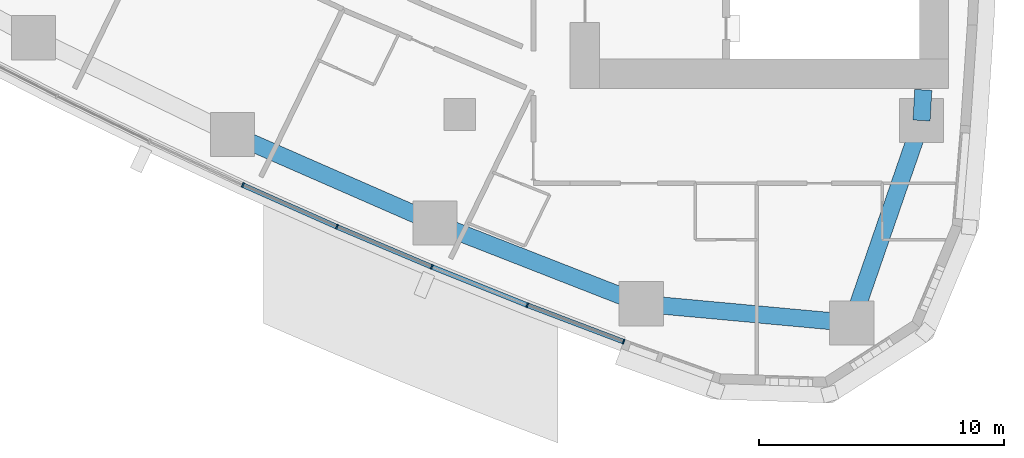
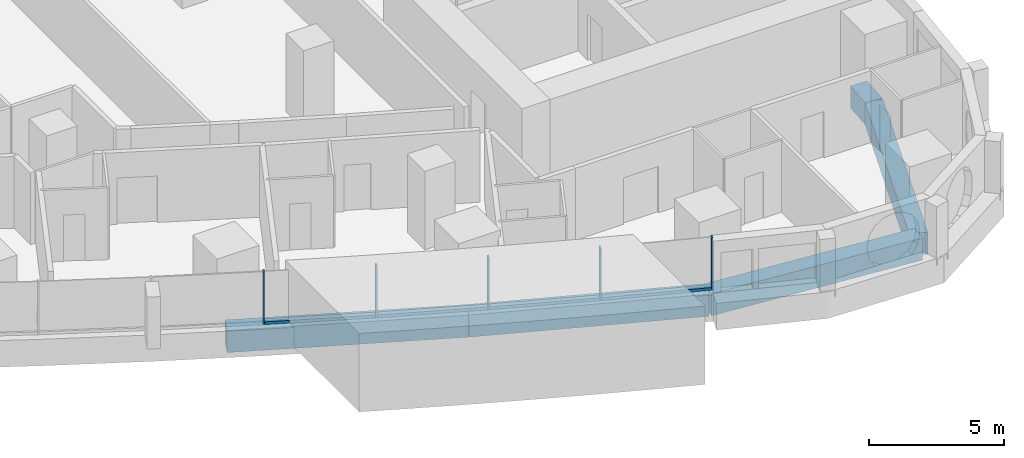
# One storey, part 3 of 19: 9 members, 5 beams, 3 elements without a shape of their own.
"""IFC4 building model written with IfcOpenShell, lengths in metres."""

from ifc_helpers import new_model, si_unit, direction, frame, origin, origin_2d, place, context, subcontext, project, spatial, rectangle, extrude, material, layer, layer_set, material_profile, profile_set, type_object, element, aggregate, save


model = new_model("IFC4")

# Units and contexts
model_context = context("Model", 3, precision=1e-05, world=origin(), true_north=direction((0.0, 1.0)))
body_context = subcontext(model_context, "Body", "Model", "MODEL_VIEW")
ifc_project = project(units=[si_unit("LENGTHUNIT", "METRE"), si_unit("AREAUNIT", "SQUARE_METRE"), si_unit("VOLUMEUNIT", "CUBIC_METRE"), si_unit("PLANEANGLEUNIT", "RADIAN"), si_unit("MASSUNIT", "GRAM", prefix="KILO")], contexts=[model_context])

# Site, building, storey
site_placement = place(None, origin())
site = spatial("IfcSite", under=ifc_project, at=site_placement, CompositionType="ELEMENT")
building_placement = place(site_placement, origin())
building = spatial("IfcBuilding", under=site, at=building_placement, Name="Ostrand Prow Hotel Tower", CompositionType="ELEMENT")
storey_placement = place(building_placement, frame((0.0, 0.0, 50.25)))
storey = spatial("IfcBuildingStorey", under=building, at=storey_placement, Name="L10", CompositionType="ELEMENT", Elevation=50.25)

# Beams
ifc_material_1 = material(Name="Concrete C80/95", Category="concrete")
ifc_material_profile_1 = material_profile(ifc_material_1, rectangle(XDim=0.699951171875, YDim=1.0, at=origin_2d()), Name="RC 700x1000")
ifc_profile_set_1 = profile_set([ifc_material_profile_1], Name="Concrete C80/95")
beam_type = type_object("IfcBeamType", Name="Edge beam 700x1000 C80/95", PredefinedType="SPANDREL", material=ifc_profile_set_1)
for number, where, z_axis, x_axis, name in (
    (1, (35.7412109375, -18.814208984375, -0.800048828125), (0.916095776162, -0.400959510297, 0.0), (0.400959510297, 0.916095776162, 0.0), "Edge beam S4-S5"),
    (2, (43.997802734375, -22.427978515625, -0.800048828125), (0.931329480916, -0.364177701098, 0.0), (0.364177701098, 0.931329480916, 0.0), "Edge beam S5-S6"),
):
    element("IfcBeam", number, at=place(storey_placement, frame(where, z_axis=z_axis, x_axis=x_axis)), inside=storey, type_object=beam_type, Name=name, PredefinedType="SPANDREL", context=body_context, shape_type="SweptSolid", body=[
        extrude(rectangle(XDim=0.699951171875, YDim=1.0, at=origin_2d()), origin(), (0.0, 0.0, 1.0), 9.0126953125),
    ])
beam_1_placement = place(storey_placement, frame((52.3916015625, -25.710205078125, -0.800048828125), z_axis=(0.995800189514, -0.091553167961, 0.0), x_axis=(0.091553167961, 0.995800189514, 0.0)))
element("IfcBeam", 3, at=beam_1_placement, inside=storey, type_object=beam_type, Name="Edge beam S6-SE", PredefinedType="SPANDREL", context=body_context, shape_type="SweptSolid", body=[
    extrude(rectangle(XDim=0.699951171875, YDim=1.0, at=origin_2d()), origin(), (0.0, 0.0, 1.0), 8.610595703125),
])
beam_2_placement = place(storey_placement, frame((60.966064453125, -26.49853515625, -0.800048828125), z_axis=(0.326263961413, 0.945278703602, 0.0), x_axis=(-0.945278703602, 0.326263961413, 0.0)))
element("IfcBeam", 4, at=beam_2_placement, inside=storey, type_object=beam_type, Name="Edge beam SE-B1", PredefinedType="SPANDREL", context=body_context, shape_type="SweptSolid", body=[
    extrude(rectangle(XDim=0.699951171875, YDim=1.0, at=origin_2d()), origin(), (0.0, 0.0, 1.0), 8.727294921875),
])
beam_3_placement = place(storey_placement, frame((63.8134765625, -18.248779296875, -0.800048828125), z_axis=(0.056215946509, 0.998418633319, 0.0), x_axis=(-0.998418633319, 0.056215946509, 0.0)))
element("IfcBeam", 5, at=beam_3_placement, inside=storey, type_object=beam_type, Name="Edge beam B1-B2", PredefinedType="SPANDREL", context=body_context, shape_type="SweptSolid", body=[
    extrude(rectangle(XDim=0.699951171875, YDim=1.0, at=origin_2d()), origin(), (0.0, 0.0, 1.0), 1.250732421875),
])

# Curtain wall, member
ifc_material_2 = material(Name="Insulated glass in bronze anodised frame", Category="glass")
ifc_layer = layer(ifc_material_2, 0.199951171875)
ifc_layer_set = layer_set([ifc_layer], Name="Insulated glass in bronze anodised frame")
curtain_wall_type = type_object("IfcCurtainWallType", Name="Strip curtain wall, fritted glass over bronze spandrel", PredefinedType="NOTDEFINED", material=ifc_layer_set)
curtain_wall_1_placement = place(storey_placement, origin())
curtain_wall_1 = element("IfcCurtainWall", 6, at=curtain_wall_1_placement, inside=storey, type_object=curtain_wall_type, Name="CW1 run CWS3", PredefinedType="NOTDEFINED")
ifc_material_3 = material(Name="Bronze anodised aluminium", Category="aluminium")
ifc_material_profile_2 = material_profile(ifc_material_3, rectangle(XDim=0.199951171875, YDim=0.06005859375, at=origin_2d()), Name="Mullion 60x200 bronze anodised aluminium")
ifc_profile_set_2 = profile_set([ifc_material_profile_2], Name="Bronze anodised aluminium")
member_type_1 = type_object("IfcMemberType", Name="Mullion 60x200 bronze anodised aluminium", PredefinedType="MULLION", material=ifc_profile_set_2)
member_1_placement = place(storey_placement, frame((36.162109375, -20.876953125, 0.89990234375), z_axis=(0.0, 0.0, 1.0), x_axis=(0.422529678615, 0.906349088757, 0.0)))
member_1 = element("IfcMember", 7, at=member_1_placement, type_object=member_type_1, Name="CW1 mullion 3", PredefinedType="MULLION", context=body_context, shape_type="SweptSolid", body=[
    extrude(rectangle(XDim=0.199951171875, YDim=0.06005859375, at=origin_2d()), origin(), (0.0, 0.0, 1.0), 2.35009765625),
])
aggregate(curtain_wall_1, [member_1])

# Curtain wall, members
curtain_wall_2_placement = place(storey_placement, origin())
curtain_wall_2 = element("IfcCurtainWall", 8, at=curtain_wall_2_placement, inside=storey, type_object=curtain_wall_type, Name="CW1 run CWS4", PredefinedType="NOTDEFINED")
member_2_placement = place(storey_placement, frame((39.99560546875, -22.5791015625, 0.89990234375), z_axis=(0.0, 0.0, 1.0), x_axis=(0.388892418709, 0.921283173987, 0.0)))
member_2 = element("IfcMember", 9, at=member_2_placement, type_object=member_type_1, Name="CW1 mullion 2", PredefinedType="MULLION", context=body_context, shape_type="SweptSolid", body=[
    extrude(rectangle(XDim=0.199951171875, YDim=0.06005859375, at=origin_2d()), origin(), (0.0, 0.0, 1.0), 2.35009765625),
])
member_3_placement = place(storey_placement, frame((43.859619140625, -24.210205078125, 0.89990234375), z_axis=(0.0, 0.0, 1.0), x_axis=(0.388892418709, 0.921283173987, 0.0)))
member_3 = element("IfcMember", 10, at=member_3_placement, type_object=member_type_1, Name="CW1 mullion 3", PredefinedType="MULLION", context=body_context, shape_type="SweptSolid", body=[
    extrude(rectangle(XDim=0.199951171875, YDim=0.06005859375, at=origin_2d()), origin(), (0.0, 0.0, 1.0), 2.35009765625),
])

curtain_wall_3_placement = place(storey_placement, origin())
curtain_wall_3 = element("IfcCurtainWall", 11, at=curtain_wall_3_placement, inside=storey, type_object=curtain_wall_type, Name="CW1 run CWS5", PredefinedType="NOTDEFINED")
member_4_placement = place(storey_placement, frame((47.7529296875, -25.769775390625, 0.89990234375), z_axis=(0.0, 0.0, 1.0), x_axis=(0.354728407072, 0.934969388384, 0.0)))
member_4 = element("IfcMember", 12, at=member_4_placement, type_object=member_type_1, Name="CW1 mullion 2", PredefinedType="MULLION", context=body_context, shape_type="SweptSolid", body=[
    extrude(rectangle(XDim=0.199951171875, YDim=0.06005859375, at=origin_2d()), origin(), (0.0, 0.0, 1.0), 2.35009765625),
])
member_5_placement = place(storey_placement, frame((51.674560546875, -27.2578125, 0.89990234375), z_axis=(0.0, 0.0, 1.0), x_axis=(0.354728407072, 0.934969388384, 0.0)))
member_5 = element("IfcMember", 13, at=member_5_placement, type_object=member_type_1, Name="CW1 mullion 3", PredefinedType="MULLION", context=body_context, shape_type="SweptSolid", body=[
    extrude(rectangle(XDim=0.199951171875, YDim=0.06005859375, at=origin_2d()), origin(), (0.0, 0.0, 1.0), 2.35009765625),
])

# Member
ifc_material_4 = material(Name="Bronze anodised aluminium", Category="aluminium")
ifc_material_profile_3 = material_profile(ifc_material_4, rectangle(XDim=0.199951171875, YDim=0.1201171875, at=origin_2d()), Name="Transom 120x200 bronze anodised aluminium")
ifc_profile_set_3 = profile_set([ifc_material_profile_3], Name="Bronze anodised aluminium")
member_type_2 = type_object("IfcMemberType", Name="Transom 120x200 bronze anodised aluminium", PredefinedType="USERDEFINED", material=ifc_profile_set_3)
member_6_placement = place(storey_placement, frame((36.189453125, -20.88916015625, 0.9599609375), z_axis=(0.913957599094, -0.405809693156, 0.0), x_axis=(0.405809693156, 0.913957599094, 0.0)))
member_6 = element("IfcMember", 14, at=member_6_placement, type_object=member_type_2, Name="CW1 transom 1.1", ObjectType="TRANSOM", PredefinedType="USERDEFINED", context=body_context, shape_type="SweptSolid", body=[
    extrude(rectangle(XDim=0.199951171875, YDim=0.1201171875, at=origin_2d()), origin(), (0.0, 0.0, 1.0), 4.13427734375),
])

member_7_placement = place(storey_placement, frame((40.023193359375, -22.5908203125, 0.9599609375), z_axis=(0.921284828297, -0.388888499637, 0.0), x_axis=(0.388888499637, 0.921284828297, 0.0)))
member_7 = element("IfcMember", 15, at=member_7_placement, type_object=member_type_2, Name="CW1 transom 2.1", ObjectType="TRANSOM", PredefinedType="USERDEFINED", context=body_context, shape_type="SweptSolid", body=[
    extrude(rectangle(XDim=0.199951171875, YDim=0.1201171875, at=origin_2d()), origin(), (0.0, 0.0, 1.0), 4.134033203125),
])

aggregate(curtain_wall_2, [member_2, member_3, member_6, member_7])

member_8_placement = place(storey_placement, frame((43.887451171875, -24.22119140625, 0.9599609375), z_axis=(0.928264761225, -0.371920062739, 0.0), x_axis=(0.371920062739, 0.928264761225, 0.0)))
member_8 = element("IfcMember", 16, at=member_8_placement, type_object=member_type_2, Name="CW1 transom 1.1", ObjectType="TRANSOM", PredefinedType="USERDEFINED", context=body_context, shape_type="SweptSolid", body=[
    extrude(rectangle(XDim=0.199951171875, YDim=0.1201171875, at=origin_2d()), origin(), (0.0, 0.0, 1.0), 4.13427734375),
])

member_9_placement = place(storey_placement, frame((47.781005859375, -25.780517578125, 0.9599609375), z_axis=(0.93497051437, -0.354725439261, 0.0), x_axis=(0.354725439261, 0.93497051437, 0.0)))
member_9 = element("IfcMember", 17, at=member_9_placement, type_object=member_type_2, Name="CW1 transom 2.1", ObjectType="TRANSOM", PredefinedType="USERDEFINED", context=body_context, shape_type="SweptSolid", body=[
    extrude(rectangle(XDim=0.199951171875, YDim=0.1201171875, at=origin_2d()), origin(), (0.0, 0.0, 1.0), 4.13427734375),
])

aggregate(curtain_wall_3, [member_4, member_5, member_8, member_9])

save(model, "model.ifc")
